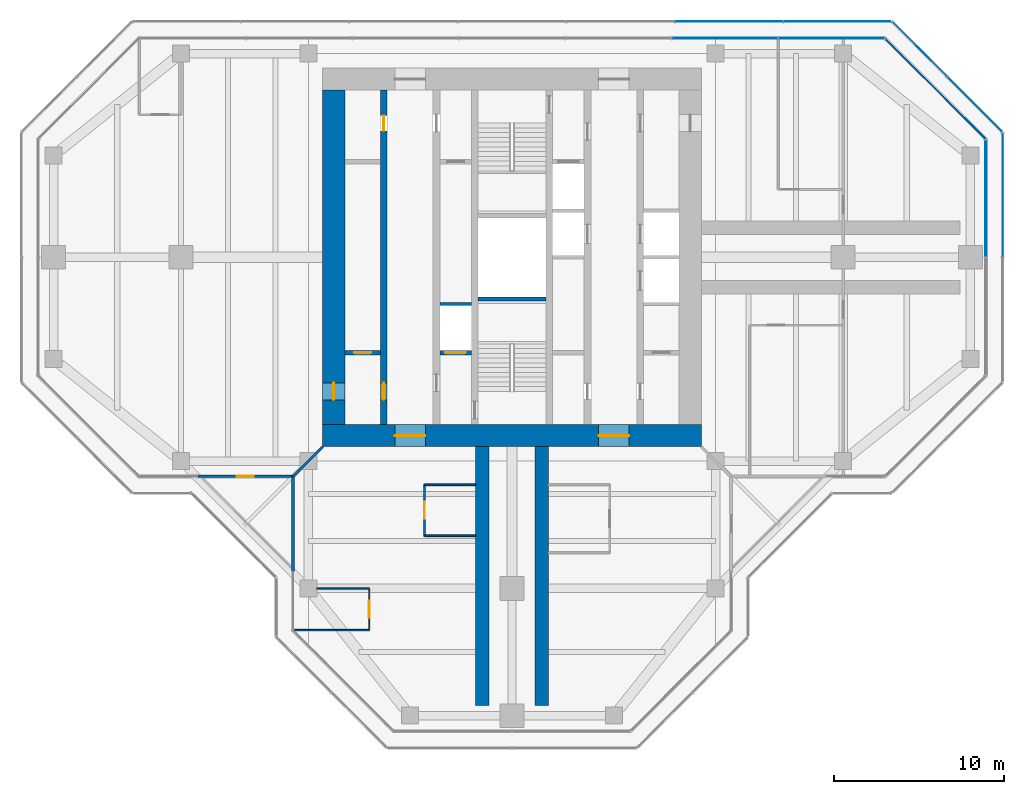
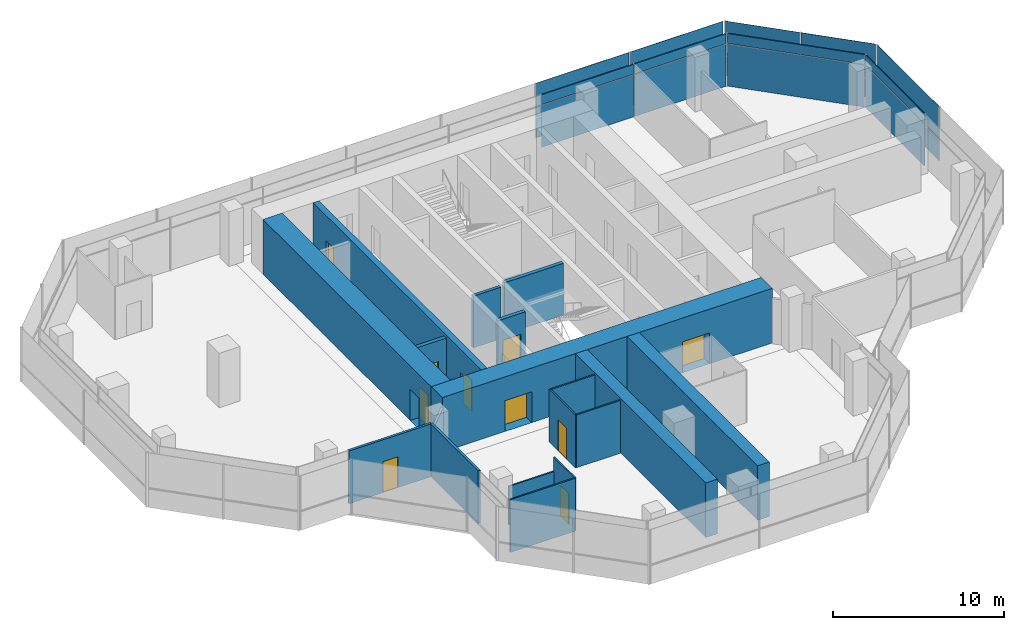
# One storey, part 11 of 15: 18 plates, 18 walls, 10 doors, 10 openings, 6 elements without a shape of their own.
"""IFC4 building model written with IfcOpenShell, lengths in metres."""

from ifc_helpers import new_model, si_unit, direction, frame, frame_2d, origin, origin_2d, place, context, subcontext, project, spatial, rectangle, extrude, material, layer, layer_set, type_object, element, fill, aggregate, save


model = new_model("IFC4")

# Units and contexts
model_context = context("Model", 3, precision=1e-05, world=origin(), true_north=direction((0.0, 1.0)))
body_context = subcontext(model_context, "Body", "Model", "MODEL_VIEW")
ifc_project = project(units=[si_unit("LENGTHUNIT", "METRE"), si_unit("AREAUNIT", "SQUARE_METRE"), si_unit("VOLUMEUNIT", "CUBIC_METRE"), si_unit("PLANEANGLEUNIT", "RADIAN"), si_unit("MASSUNIT", "GRAM", prefix="KILO")], contexts=[model_context])

# Site, building, storey
site_placement = place(None, origin())
site = spatial("IfcSite", under=ifc_project, at=site_placement, CompositionType="ELEMENT")
building_placement = place(site_placement, origin())
building = spatial("IfcBuilding", under=site, at=building_placement, Name="Mizan Broadcast Tower", CompositionType="ELEMENT")
storey_placement = place(building_placement, frame((0.0, 0.0, 271.199951171875)))
storey = spatial("IfcBuildingStorey", under=building, at=storey_placement, Name="L64", CompositionType="ELEMENT", Elevation=271.199951171875)

# Curtain wall, plate
ifc_material_1 = material(Name="Aluminium framed glazing", Category="aluminium")
curtain_wall_type_1 = type_object("IfcCurtainWallType", Name="INNER SKIN TOP ZONE", PredefinedType="USERDEFINED", material=ifc_material_1)
curtain_wall_1_placement = place(storey_placement, origin())
curtain_wall_1 = element("IfcCurtainWall", 1, at=curtain_wall_1_placement, inside=storey, type_object=curtain_wall_type_1, Name="Inner skin top zone L64 E end", ObjectType="INNER SKIN TOP ZONE", PredefinedType="USERDEFINED")
ifc_material_2 = material(Name="Double glazing, clear low-e", Category="glass")
ifc_layer_1 = layer(ifc_material_2, 0.028076171875)
ifc_layer_set_1 = layer_set([ifc_layer_1], Name="Double glazing, clear low-e")
plate_type_1 = type_object("IfcPlateType", Name="INNER SKIN GLAZING UNIT", PredefinedType="CURTAIN_PANEL", material=ifc_layer_set_1)
plate_1_placement = place(storey_placement, frame((27.89990234375, 3.46435546875, 0.0), z_axis=(0.0, 0.0, 1.0), x_axis=(0.0, 1.0, 0.0)))
plate_1 = element("IfcPlate", 2, at=plate_1_placement, type_object=plate_type_1, Name="Inner skin top zone L64 E end panel 2.1", PredefinedType="CURTAIN_PANEL", context=body_context, shape_type="SweptSolid", body=[
    extrude(rectangle(XDim=6.86865234375, YDim=0.028076171875, at=origin_2d()), origin(), (0.0, 0.0, 1.0), 3.0),
])

curtain_wall_2_placement = place(storey_placement, origin())
curtain_wall_2 = element("IfcCurtainWall", 3, at=curtain_wall_2_placement, inside=storey, type_object=curtain_wall_type_1, Name="Inner skin top zone L64 E chamfer", ObjectType="INNER SKIN TOP ZONE", PredefinedType="USERDEFINED")
plate_2_placement = place(storey_placement, frame((24.92919921875, 9.92919921875, 0.0), z_axis=(0.0, 0.0, 1.0), x_axis=(-0.707106781187, 0.707106781187, 0.0)))
plate_2 = element("IfcPlate", 4, at=plate_2_placement, type_object=plate_type_1, Name="Inner skin top zone L64 E chamfer panel 1.1", PredefinedType="CURTAIN_PANEL", context=body_context, shape_type="SweptSolid", body=[
    extrude(rectangle(XDim=8.282470703125, YDim=0.028076171875, at=origin_2d()), origin(), (0.0, 0.0, 1.0), 3.0),
])

# Curtain wall, plates
curtain_wall_3_placement = place(storey_placement, origin())
curtain_wall_3 = element("IfcCurtainWall", 5, at=curtain_wall_3_placement, inside=storey, type_object=curtain_wall_type_1, Name="Inner skin top zone L64 N end", ObjectType="INNER SKIN TOP ZONE", PredefinedType="USERDEFINED")
plate_3_placement = place(storey_placement, frame((18.806640625, 12.89990234375, 0.0), z_axis=(0.0, 0.0, 1.0), x_axis=(-1.0, 0.0, 0.0)))
plate_3 = element("IfcPlate", 6, at=plate_3_placement, type_object=plate_type_1, Name="Inner skin top zone L64 N end panel 1.1", PredefinedType="CURTAIN_PANEL", context=body_context, shape_type="SweptSolid", body=[
    extrude(rectangle(XDim=6.183837890625, YDim=0.028076171875, at=origin_2d()), origin(), (0.0, 0.0, 1.0), 3.0),
])
plate_4_placement = place(storey_placement, frame((12.5478515625, 12.89990234375, 0.0), z_axis=(0.0, 0.0, 1.0), x_axis=(-1.0, 0.0, 0.0)))
plate_4 = element("IfcPlate", 7, at=plate_4_placement, type_object=plate_type_1, Name="Inner skin top zone L64 N end panel 2.1", PredefinedType="CURTAIN_PANEL", context=body_context, shape_type="SweptSolid", body=[
    extrude(rectangle(XDim=6.2138671875, YDim=0.028076171875, at=origin_2d()), origin(), (0.0, 0.0, 1.0), 3.0),
])

# Plate
ifc_material_3 = material(Name="Insulated aluminium spandrel panel, pale anodised", Category="aluminium")
ifc_layer_2 = layer(ifc_material_3, 0.050048828125)
ifc_layer_set_2 = layer_set([ifc_layer_2], Name="Insulated aluminium spandrel panel, pale anodised")
plate_type_2 = type_object("IfcPlateType", Name="INNER SKIN SPANDREL PANEL", PredefinedType="CURTAIN_PANEL", material=ifc_layer_set_2)
plate_5_placement = place(storey_placement, frame((27.89990234375, 3.46435546875, 3.06005859375), z_axis=(0.0, 0.0, 1.0), x_axis=(0.0, 1.0, 0.0)))
plate_5 = element("IfcPlate", 8, at=plate_5_placement, type_object=plate_type_2, Name="Inner skin top zone L64 E end panel 2.2", PredefinedType="CURTAIN_PANEL", context=body_context, shape_type="SweptSolid", body=[
    extrude(rectangle(XDim=6.86865234375, YDim=0.050048828125, at=origin_2d()), origin(), (0.0, 0.0, 1.0), 0.7099609375),
])

aggregate(curtain_wall_1, [plate_1, plate_5])

plate_6_placement = place(storey_placement, frame((24.92919921875, 9.92919921875, 3.06005859375), z_axis=(0.0, 0.0, 1.0), x_axis=(-0.707106781187, 0.707106781187, 0.0)))
plate_6 = element("IfcPlate", 9, at=plate_6_placement, type_object=plate_type_2, Name="Inner skin top zone L64 E chamfer panel 1.2", PredefinedType="CURTAIN_PANEL", context=body_context, shape_type="SweptSolid", body=[
    extrude(rectangle(XDim=8.282470703125, YDim=0.050048828125, at=origin_2d()), origin(), (0.0, 0.0, 1.0), 0.7099609375),
])

aggregate(curtain_wall_2, [plate_2, plate_6])

plate_7_placement = place(storey_placement, frame((18.806640625, 12.89990234375, 3.06005859375), z_axis=(0.0, 0.0, 1.0), x_axis=(-1.0, 0.0, 0.0)))
plate_7 = element("IfcPlate", 10, at=plate_7_placement, type_object=plate_type_2, Name="Inner skin top zone L64 N end panel 1.2", PredefinedType="CURTAIN_PANEL", context=body_context, shape_type="SweptSolid", body=[
    extrude(rectangle(XDim=6.183837890625, YDim=0.050048828125, at=origin_2d()), origin(), (0.0, 0.0, 1.0), 0.7099609375),
])

plate_8_placement = place(storey_placement, frame((12.5478515625, 12.89990234375, 3.06005859375), z_axis=(0.0, 0.0, 1.0), x_axis=(-1.0, 0.0, 0.0)))
plate_8 = element("IfcPlate", 11, at=plate_8_placement, type_object=plate_type_2, Name="Inner skin top zone L64 N end panel 2.2", PredefinedType="CURTAIN_PANEL", context=body_context, shape_type="SweptSolid", body=[
    extrude(rectangle(XDim=6.2138671875, YDim=0.050048828125, at=origin_2d()), origin(), (0.0, 0.0, 1.0), 0.7099609375),
])

aggregate(curtain_wall_3, [plate_3, plate_7, plate_4, plate_8])

# Curtain wall, plates
ifc_material_4 = material(Name="Aluminium framed glazing", Category="aluminium")
curtain_wall_type_2 = type_object("IfcCurtainWallType", Name="OUTER SKIN", PredefinedType="USERDEFINED", material=ifc_material_4)
curtain_wall_4_placement = place(storey_placement, origin())
curtain_wall_4 = element("IfcCurtainWall", 12, at=curtain_wall_4_placement, inside=storey, type_object=curtain_wall_type_2, Name="Outer skin L64 E chamfer", ObjectType="OUTER SKIN", PredefinedType="USERDEFINED")
ifc_material_5 = material(Name="Laminated clear glass", Category="glass")
ifc_layer_3 = layer(ifc_material_5, 0.02001953125)
ifc_layer_set_3 = layer_set([ifc_layer_3], Name="Laminated clear glass")
plate_type_3 = type_object("IfcPlateType", Name="OUTER SKIN CLEAR GLASS", PredefinedType="CURTAIN_PANEL", material=ifc_layer_set_3)
plate_9_placement = place(storey_placement, frame((27.254150390625, 9.018798828125, 0.0), z_axis=(0.0, 0.0, 1.0), x_axis=(-0.707106781187, 0.707106781187, 0.0)))
plate_9 = element("IfcPlate", 13, at=plate_9_placement, type_object=plate_type_3, Name="Outer skin L64 E chamfer panel 1.1", PredefinedType="CURTAIN_PANEL", context=body_context, shape_type="SweptSolid", body=[
    extrude(rectangle(XDim=4.495361328125, YDim=0.02001953125, at=origin_2d()), origin(), (0.0, 0.0, 1.0), 1.3701171875),
])
plate_10_placement = place(storey_placement, frame((27.254150390625, 9.018798828125, 1.43017578125), z_axis=(0.0, 0.0, 1.0), x_axis=(-0.707106781187, 0.707106781187, 0.0)))
plate_10 = element("IfcPlate", 14, at=plate_10_placement, type_object=plate_type_3, Name="Outer skin L64 E chamfer panel 1.2", PredefinedType="CURTAIN_PANEL", context=body_context, shape_type="SweptSolid", body=[
    extrude(rectangle(XDim=4.495361328125, YDim=0.02001953125, at=origin_2d()), origin(), (0.0, 0.0, 1.0), 2.469970703125),
])

curtain_wall_5_placement = place(storey_placement, origin())
curtain_wall_5 = element("IfcCurtainWall", 15, at=curtain_wall_5_placement, inside=storey, type_object=curtain_wall_type_2, Name="Outer skin L64 N end", ObjectType="OUTER SKIN", PredefinedType="USERDEFINED")
plate_11_placement = place(storey_placement, frame((19.15673828125, 13.89990234375, 0.0), z_axis=(0.0, 0.0, 1.0), x_axis=(-1.0, 0.0, 0.0)))
plate_11 = element("IfcPlate", 16, at=plate_11_placement, type_object=plate_type_3, Name="Outer skin L64 N end panel 1.1", PredefinedType="CURTAIN_PANEL", context=body_context, shape_type="SweptSolid", body=[
    extrude(rectangle(XDim=6.272216796875, YDim=0.02001953125, at=origin_2d()), origin(), (0.0, 0.0, 1.0), 1.3701171875),
])
plate_12_placement = place(storey_placement, frame((19.15673828125, 13.89990234375, 1.43017578125), z_axis=(0.0, 0.0, 1.0), x_axis=(-1.0, 0.0, 0.0)))
plate_12 = element("IfcPlate", 17, at=plate_12_placement, type_object=plate_type_3, Name="Outer skin L64 N end panel 1.2", PredefinedType="CURTAIN_PANEL", context=body_context, shape_type="SweptSolid", body=[
    extrude(rectangle(XDim=6.272216796875, YDim=0.02001953125, at=origin_2d()), origin(), (0.0, 0.0, 1.0), 2.469970703125),
])
plate_13_placement = place(storey_placement, frame((12.784423828125, 13.89990234375, 0.0), z_axis=(0.0, 0.0, 1.0), x_axis=(-1.0, 0.0, 0.0)))
plate_13 = element("IfcPlate", 18, at=plate_13_placement, type_object=plate_type_3, Name="Outer skin L64 N end panel 2.1", PredefinedType="CURTAIN_PANEL", context=body_context, shape_type="SweptSolid", body=[
    extrude(rectangle(XDim=6.312255859375, YDim=0.02001953125, at=origin_2d()), origin(), (0.0, 0.0, 1.0), 1.3701171875),
])
plate_14_placement = place(storey_placement, frame((12.784423828125, 13.89990234375, 1.43017578125), z_axis=(0.0, 0.0, 1.0), x_axis=(-1.0, 0.0, 0.0)))
plate_14 = element("IfcPlate", 19, at=plate_14_placement, type_object=plate_type_3, Name="Outer skin L64 N end panel 2.2", PredefinedType="CURTAIN_PANEL", context=body_context, shape_type="SweptSolid", body=[
    extrude(rectangle(XDim=6.312255859375, YDim=0.02001953125, at=origin_2d()), origin(), (0.0, 0.0, 1.0), 2.469970703125),
])
aggregate(curtain_wall_5, [plate_11, plate_12, plate_13, plate_14])

curtain_wall_6_placement = place(storey_placement, origin())
curtain_wall_6 = element("IfcCurtainWall", 20, at=curtain_wall_6_placement, inside=storey, type_object=curtain_wall_type_2, Name="Outer skin L64 E end", ObjectType="OUTER SKIN", PredefinedType="USERDEFINED")
ifc_material_6 = material(Name="Perforated aluminium, pale anodised", Category="aluminium")
ifc_layer_4 = layer(ifc_material_6, 0.011962890625)
ifc_layer_set_4 = layer_set([ifc_layer_4], Name="Perforated aluminium, pale anodised")
plate_type_4 = type_object("IfcPlateType", Name="OUTER SKIN PERFORATED SCREEN", PredefinedType="USERDEFINED", material=ifc_layer_set_4)
plate_15_placement = place(storey_placement, frame((28.89990234375, 3.66650390625, 0.0), z_axis=(0.0, 0.0, 1.0), x_axis=(0.0, 1.0, 0.0)))
plate_15 = element("IfcPlate", 21, at=plate_15_placement, type_object=plate_type_4, Name="Outer skin L64 E end panel 2.1", ObjectType="SCREEN", PredefinedType="USERDEFINED", context=body_context, shape_type="SweptSolid", body=[
    extrude(rectangle(XDim=7.252685546875, YDim=0.011962890625, at=origin_2d()), origin(), (0.0, 0.0, 1.0), 1.3701171875),
])
plate_16_placement = place(storey_placement, frame((28.89990234375, 3.66650390625, 1.43017578125), z_axis=(0.0, 0.0, 1.0), x_axis=(0.0, 1.0, 0.0)))
plate_16 = element("IfcPlate", 22, at=plate_16_placement, type_object=plate_type_4, Name="Outer skin L64 E end panel 2.2", ObjectType="SCREEN", PredefinedType="USERDEFINED", context=body_context, shape_type="SweptSolid", body=[
    extrude(rectangle(XDim=7.252685546875, YDim=0.011962890625, at=origin_2d()), origin(), (0.0, 0.0, 1.0), 2.469970703125),
])
aggregate(curtain_wall_6, [plate_15, plate_16])

# Plate
plate_17_placement = place(storey_placement, frame((24.018798828125, 12.254150390625, 0.0), z_axis=(0.0, 0.0, 1.0), x_axis=(-0.707106781187, 0.707106781187, 0.0)))
plate_17 = element("IfcPlate", 23, at=plate_17_placement, type_object=plate_type_4, Name="Outer skin L64 E chamfer panel 2.1", ObjectType="SCREEN", PredefinedType="USERDEFINED", context=body_context, shape_type="SweptSolid", body=[
    extrude(rectangle(XDim=4.495361328125, YDim=0.011962890625, at=origin_2d()), origin(), (0.0, 0.0, 1.0), 1.3701171875),
])

plate_18_placement = place(storey_placement, frame((24.018798828125, 12.254150390625, 1.43017578125), z_axis=(0.0, 0.0, 1.0), x_axis=(-0.707106781187, 0.707106781187, 0.0)))
plate_18 = element("IfcPlate", 24, at=plate_18_placement, type_object=plate_type_4, Name="Outer skin L64 E chamfer panel 2.2", ObjectType="SCREEN", PredefinedType="USERDEFINED", context=body_context, shape_type="SweptSolid", body=[
    extrude(rectangle(XDim=4.495361328125, YDim=0.011962890625, at=origin_2d()), origin(), (0.0, 0.0, 1.0), 2.469970703125),
])

aggregate(curtain_wall_4, [plate_9, plate_10, plate_17, plate_18])

# Wall, openings, doors
ifc_material_7 = material(Name="Concrete C70/85", Category="concrete")
ifc_layer_5 = layer(ifc_material_7, 0.39990234375)
ifc_layer_set_5 = layer_set([ifc_layer_5], Name="Concrete C70/85")
wall_type_1 = type_object("IfcWallType", Name="CORE INTERNAL WALL 400", PredefinedType="SHEAR", material=ifc_layer_set_5)
wall_1_placement = place(storey_placement, frame((-7.550048828125, -9.85009765625, 0.0), z_axis=(0.0, 0.0, 1.0), x_axis=(0.0, 1.0, 0.0)))
wall_1 = element("IfcWall", 25, at=wall_1_placement, inside=storey, type_object=wall_type_1, Name="Core wall CORE/XW1", PredefinedType="SHEAR", context=body_context, shape_type="SweptSolid", body=[
    extrude(rectangle(XDim=19.7001953125, YDim=0.39990234375, at=frame_2d((9.85009765625, 0.0))), origin(), (0.0, 0.0, 1.0), 3.900146484375),
])
opening_1_placement = place(wall_1_placement, frame((1.449951171875, 0.0, 0.0)))
opening_1 = element("IfcOpeningElement", 26, at=opening_1_placement, cuts=wall_1, Name="Opening D10F", PredefinedType="OPENING", context=body_context, shape_type="SweptSolid", body=[
    extrude(rectangle(XDim=1.0, YDim=2.199951171875, at=frame_2d((0.5, 1.10009765625))), frame((0.0, 0.2099609375, 0.0), z_axis=(0.0, -1.0, 0.0), x_axis=(1.0, 0.0, 0.0)), (0.0, 0.0, 1.0), 0.419921875),
])
opening_2_placement = place(wall_1_placement, frame((17.300048828125, 0.0, 0.0)))
opening_2 = element("IfcOpeningElement", 27, at=opening_2_placement, cuts=wall_1, Name="Opening D09", PredefinedType="OPENING", context=body_context, shape_type="SweptSolid", body=[
    extrude(rectangle(XDim=0.89990234375, YDim=2.10009765625, at=frame_2d((0.449951171875, 1.050048828125))), frame((0.0, 0.2099609375, 0.0), z_axis=(0.0, -1.0, 0.0), x_axis=(1.0, 0.0, 0.0)), (0.0, 0.0, 1.0), 0.419921875),
])
ifc_material_8 = material(Name="Steel door leaf in steel frame", Category="steel")
door_type_1 = type_object("IfcDoorType", Name="FIRE DOOR 1000 FD90", OperationType="SINGLE_SWING_LEFT", PredefinedType="DOOR", material=ifc_material_8)
door_1_placement = place(opening_1_placement, origin())
door_1 = element("IfcDoor", 28, at=door_1_placement, inside=storey, type_object=door_type_1, Name="West core passage door", OperationType="SINGLE_SWING_LEFT", OverallHeight=2.199951171875, OverallWidth=1.0, PredefinedType="DOOR", context=body_context, shape_type="SweptSolid", body=[
    extrude(rectangle(XDim=1.0, YDim=2.199951171875, at=frame_2d((0.5, 1.10009765625))), frame((0.0, 0.02490234375, 0.0), z_axis=(0.0, -1.0, 0.0), x_axis=(1.0, 0.0, 0.0)), (0.0, 0.0, 1.0), 0.050048828125),
])
fill(opening_1, door_1)
ifc_material_9 = material(Name="Timber door leaf in aluminium frame", Category="wood")
door_type_2 = type_object("IfcDoorType", Name="TOILET DOOR 900", OperationType="SINGLE_SWING_LEFT", PredefinedType="DOOR", material=ifc_material_9)
door_2_placement = place(opening_2_placement, origin())
door_2 = element("IfcDoor", 29, at=door_2_placement, inside=storey, type_object=door_type_2, Name="Male WC door", OperationType="SINGLE_SWING_RIGHT", OverallHeight=2.10009765625, OverallWidth=0.89990234375, PredefinedType="DOOR", context=body_context, shape_type="SweptSolid", body=[
    extrude(rectangle(XDim=0.89990234375, YDim=2.10009765625, at=frame_2d((0.449951171875, 1.050048828125))), frame((0.0, 0.02490234375, 0.0), z_axis=(0.0, -1.0, 0.0), x_axis=(1.0, 0.0, 0.0)), (0.0, 0.0, 1.0), 0.050048828125),
])
fill(opening_2, door_2)

ifc_material_10 = material(Name="Concrete C70/85", Category="concrete")
ifc_layer_6 = layer(ifc_material_10, 1.300048828125)
ifc_layer_set_6 = layer_set([ifc_layer_6], Name="Concrete C70/85")
wall_type_2 = type_object("IfcWallType", Name="CORE WALL 1300", PredefinedType="SHEAR", material=ifc_layer_set_6)
wall_2_placement = place(storey_placement, frame((11.14990234375, -10.5, 0.0), z_axis=(0.0, 0.0, 1.0), x_axis=(-1.0, 0.0, 0.0)))
wall_2 = element("IfcWall", 30, at=wall_2_placement, inside=storey, type_object=wall_type_2, Name="Core wall S L64", PredefinedType="SHEAR", context=body_context, shape_type="SweptSolid", body=[
    extrude(rectangle(XDim=22.2998046875, YDim=1.300048828125, at=frame_2d((11.14990234375, 0.0))), origin(), (0.0, 0.0, 1.0), 3.900146484375),
])
opening_3_placement = place(wall_2_placement, frame((16.25, 0.0, 0.0)))
opening_3 = element("IfcOpeningElement", 31, at=opening_3_placement, cuts=wall_2, Name="Opening D18F", PredefinedType="OPENING", context=body_context, shape_type="SweptSolid", body=[
    extrude(rectangle(XDim=1.800048828125, YDim=2.199951171875, at=frame_2d((0.89990234375, 1.10009765625))), frame((0.0, 0.659912109375, 0.0), z_axis=(0.0, -1.0, 0.0), x_axis=(1.0, 0.0, 0.0)), (0.0, 0.0, 1.0), 1.320068359375),
])
opening_4_placement = place(wall_2_placement, frame((4.25, 0.0, 0.0)))
opening_4 = element("IfcOpeningElement", 32, at=opening_4_placement, cuts=wall_2, Name="Opening D18F", PredefinedType="OPENING", context=body_context, shape_type="SweptSolid", body=[
    extrude(rectangle(XDim=1.800048828125, YDim=2.199951171875, at=frame_2d((0.89990234375, 1.10009765625))), frame((0.0, 0.659912109375, 0.0), z_axis=(0.0, -1.0, 0.0), x_axis=(1.0, 0.0, 0.0)), (0.0, 0.0, 1.0), 1.320068359375),
])
ifc_material_11 = material(Name="Steel door leaf in steel frame", Category="steel")
door_type_3 = type_object("IfcDoorType", Name="LOBBY DOUBLE DOOR 1800 FD90", OperationType="DOUBLE_DOOR_DOUBLE_SWING", PredefinedType="DOOR", material=ifc_material_11)
door_3_placement = place(opening_3_placement, origin())
door_3 = element("IfcDoor", 33, at=door_3_placement, inside=storey, type_object=door_type_3, Name="West lift lobby south door", OperationType="DOUBLE_DOOR_DOUBLE_SWING", OverallHeight=2.199951171875, OverallWidth=1.800048828125, PredefinedType="DOOR", context=body_context, shape_type="SweptSolid", body=[
    extrude(rectangle(XDim=1.800048828125, YDim=2.199951171875, at=frame_2d((0.89990234375, 1.10009765625))), frame((0.0, 0.02490234375, 0.0), z_axis=(0.0, -1.0, 0.0), x_axis=(1.0, 0.0, 0.0)), (0.0, 0.0, 1.0), 0.050048828125),
])
fill(opening_3, door_3)
door_4_placement = place(opening_4_placement, origin())
door_4 = element("IfcDoor", 34, at=door_4_placement, inside=storey, type_object=door_type_3, Name="East lift lobby south door", OperationType="DOUBLE_DOOR_DOUBLE_SWING", OverallHeight=2.199951171875, OverallWidth=1.800048828125, PredefinedType="DOOR", context=body_context, shape_type="SweptSolid", body=[
    extrude(rectangle(XDim=1.800048828125, YDim=2.199951171875, at=frame_2d((0.89990234375, 1.10009765625))), frame((0.0, 0.02490234375, 0.0), z_axis=(0.0, -1.0, 0.0), x_axis=(1.0, 0.0, 0.0)), (0.0, 0.0, 1.0), 0.050048828125),
])
fill(opening_4, door_4)

# Wall, opening, door
wall_3_placement = place(storey_placement, frame((-10.5, 9.85009765625, 0.0), z_axis=(0.0, 0.0, 1.0), x_axis=(0.0, -1.0, 0.0)))
wall_3 = element("IfcWall", 35, at=wall_3_placement, inside=storey, type_object=wall_type_2, Name="Core wall W L64", PredefinedType="SHEAR", context=body_context, shape_type="SweptSolid", body=[
    extrude(rectangle(XDim=19.7001953125, YDim=1.300048828125, at=frame_2d((9.85009765625, 0.0))), origin(), (0.0, 0.0, 1.0), 3.900146484375),
])
opening_5_placement = place(wall_3_placement, frame((17.25, 0.0, 0.0)))
opening_5 = element("IfcOpeningElement", 36, at=opening_5_placement, cuts=wall_3, Name="Opening D10F", PredefinedType="OPENING", context=body_context, shape_type="SweptSolid", body=[
    extrude(rectangle(XDim=1.0, YDim=2.199951171875, at=frame_2d((0.5, 1.10009765625))), frame((0.0, 0.659912109375, 0.0), z_axis=(0.0, -1.0, 0.0), x_axis=(1.0, 0.0, 0.0)), (0.0, 0.0, 1.0), 1.320068359375),
])
door_5_placement = place(opening_5_placement, origin())
door_5 = element("IfcDoor", 37, at=door_5_placement, inside=storey, type_object=door_type_1, Name="West core passage arm door", OperationType="SINGLE_SWING_RIGHT", OverallHeight=2.199951171875, OverallWidth=1.0, PredefinedType="DOOR", context=body_context, shape_type="SweptSolid", body=[
    extrude(rectangle(XDim=1.0, YDim=2.199951171875, at=frame_2d((0.5, 1.10009765625))), frame((0.0, 0.02490234375, 0.0), z_axis=(0.0, -1.0, 0.0), x_axis=(1.0, 0.0, 0.0)), (0.0, 0.0, 1.0), 0.050048828125),
])
fill(opening_5, door_5)

ifc_material_12 = material(Name="Aluminium framed glazed screen", Category="aluminium")
ifc_layer_7 = layer(ifc_material_12, 0.159912109375)
ifc_layer_set_7 = layer_set([ifc_layer_7], Name="Aluminium framed glazed screen")
wall_type_3 = type_object("IfcWallType", Name="GLAZED SCREEN WALL 160", PredefinedType="SOLIDWALL", material=ifc_layer_set_7)
wall_4_placement = place(storey_placement, frame((-18.5, -12.89990234375, 0.0), z_axis=(0.0, 0.0, 1.0), x_axis=(1.0, 0.0, 0.0)))
wall_4 = element("IfcWall", 38, at=wall_4_placement, inside=storey, type_object=wall_type_3, Name="Winter garden screen L64 W", PredefinedType="SOLIDWALL", context=body_context, shape_type="SweptSolid", body=[
    extrude(rectangle(XDim=5.60009765625, YDim=0.159912109375, at=frame_2d((2.800048828125, 0.0))), origin(), (0.0, 0.0, 1.0), 3.77001953125),
])
opening_6_placement = place(wall_4_placement, frame((2.300048828125, 0.0, 0.0)))
opening_6 = element("IfcOpeningElement", 39, at=opening_6_placement, cuts=wall_4, Name="Opening WGD", PredefinedType="OPENING", context=body_context, shape_type="SweptSolid", body=[
    extrude(rectangle(XDim=1.0, YDim=2.199951171875, at=frame_2d((0.5, 1.10009765625))), frame((0.0, 0.08984375, 0.0), z_axis=(0.0, -1.0, 0.0), x_axis=(1.0, 0.0, 0.0)), (0.0, 0.0, 1.0), 0.179931640625),
])
ifc_material_13 = material(Name="Aluminium framed glazed door", Category="aluminium")
door_type_4 = type_object("IfcDoorType", Name="WINTER GARDEN DOOR 1000 GLAZED", OperationType="SINGLE_SWING_LEFT", PredefinedType="DOOR", material=ifc_material_13)
door_6_placement = place(opening_6_placement, origin())
door_6 = element("IfcDoor", 40, at=door_6_placement, inside=storey, type_object=door_type_4, Name="Winter garden door L64 W", OperationType="SINGLE_SWING_RIGHT", OverallHeight=2.199951171875, OverallWidth=1.0, PredefinedType="DOOR", context=body_context, shape_type="SweptSolid", body=[
    extrude(rectangle(XDim=1.0, YDim=2.199951171875, at=frame_2d((0.5, 1.10009765625))), frame((0.0, 0.02490234375, 0.0), z_axis=(0.0, -1.0, 0.0), x_axis=(1.0, 0.0, 0.0)), (0.0, 0.0, 1.0), 0.050048828125),
])
fill(opening_6, door_6)

# Walls
wall_5_placement = place(storey_placement, frame((-12.89990234375, -12.89990234375, 0.0), z_axis=(0.0, 0.0, 1.0), x_axis=(0.0, -1.0, 0.0)))
element("IfcWall", 41, at=wall_5_placement, inside=storey, type_object=wall_type_3, Name="Winter garden screen L64 S", PredefinedType="SOLIDWALL", context=body_context, shape_type="SweptSolid", body=[
    extrude(rectangle(XDim=5.60009765625, YDim=0.159912109375, at=frame_2d((2.800048828125, 0.0))), origin(), (0.0, 0.0, 1.0), 3.77001953125),
])
ifc_material_14 = material(Name="Concrete blockwork", Category="masonry")
ifc_layer_8 = layer(ifc_material_14, 0.199951171875)
ifc_layer_set_8 = layer_set([ifc_layer_8], Name="Concrete blockwork")
wall_type_4 = type_object("IfcWallType", Name="LIFT SHAFT WALL 200", PredefinedType="SOLIDWALL", material=ifc_layer_set_8)
wall_6_placement = place(storey_placement, frame((-4.25, -2.75, 0.0), z_axis=(0.0, 0.0, 1.0), x_axis=(1.0, 0.0, 0.0)))
element("IfcWall", 42, at=wall_6_placement, inside=storey, type_object=wall_type_4, Name="Lift shaft wall CORE/SW2-1", PredefinedType="SOLIDWALL", context=body_context, shape_type="SweptSolid", body=[
    extrude(rectangle(XDim=1.85009765625, YDim=0.199951171875, at=frame_2d((0.925048828125, 0.0))), origin(), (0.0, 0.0, 1.0), 3.699951171875),
])

# Wall, opening, door
ifc_material_15 = material(Name="Concrete blockwork", Category="masonry")
ifc_layer_9 = layer(ifc_material_15, 0.25)
ifc_layer_set_9 = layer_set([ifc_layer_9], Name="Concrete blockwork")
wall_type_5 = type_object("IfcWallType", Name="LOBBY ENCLOSURE WALL 250", PredefinedType="SOLIDWALL", material=ifc_layer_set_9)
wall_7_placement = place(storey_placement, frame((-9.85009765625, -5.625, 0.0), z_axis=(0.0, 0.0, 1.0), x_axis=(1.0, 0.0, 0.0)))
wall_7 = element("IfcWall", 43, at=wall_7_placement, inside=storey, type_object=wall_type_5, Name="Lobby enclosure wall CORE/BW1S", PredefinedType="SOLIDWALL", context=body_context, shape_type="SweptSolid", body=[
    extrude(rectangle(XDim=2.10009765625, YDim=0.25, at=frame_2d((1.050048828125, 0.0))), origin(), (0.0, 0.0, 1.0), 3.699951171875),
])
opening_7_placement = place(wall_7_placement, frame((0.550048828125, 0.0, 0.0)))
opening_7 = element("IfcOpeningElement", 44, at=opening_7_placement, cuts=wall_7, Name="Opening D10F", PredefinedType="OPENING", context=body_context, shape_type="SweptSolid", body=[
    extrude(rectangle(XDim=1.0, YDim=2.199951171875, at=frame_2d((0.5, 1.10009765625))), frame((0.0, 0.135009765625, 0.0), z_axis=(0.0, -1.0, 0.0), x_axis=(1.0, 0.0, 0.0)), (0.0, 0.0, 1.0), 0.27001953125),
])
door_7_placement = place(opening_7_placement, origin())
door_7 = element("IfcDoor", 45, at=door_7_placement, inside=storey, type_object=door_type_1, Name="Comms equipment room door", OperationType="SINGLE_SWING_RIGHT", OverallHeight=2.199951171875, OverallWidth=1.0, PredefinedType="DOOR", context=body_context, shape_type="SweptSolid", body=[
    extrude(rectangle(XDim=1.0, YDim=2.199951171875, at=frame_2d((0.5, 1.10009765625))), frame((0.0, 0.02490234375, 0.0), z_axis=(0.0, -1.0, 0.0), x_axis=(1.0, 0.0, 0.0)), (0.0, 0.0, 1.0), 0.050048828125),
])
fill(opening_7, door_7)

wall_8_placement = place(storey_placement, frame((-4.25, -5.625, 0.0), z_axis=(0.0, 0.0, 1.0), x_axis=(1.0, 0.0, 0.0)))
wall_8 = element("IfcWall", 46, at=wall_8_placement, inside=storey, type_object=wall_type_5, Name="Lobby enclosure wall CORE/BW2S", PredefinedType="SOLIDWALL", context=body_context, shape_type="SweptSolid", body=[
    extrude(rectangle(XDim=1.85009765625, YDim=0.25, at=frame_2d((0.925048828125, 0.0))), origin(), (0.0, 0.0, 1.0), 3.699951171875),
])
opening_8_placement = place(wall_8_placement, frame((0.324951171875, 0.0, 0.0)))
opening_8 = element("IfcOpeningElement", 47, at=opening_8_placement, cuts=wall_8, Name="Opening LDF", PredefinedType="OPENING", context=body_context, shape_type="SweptSolid", body=[
    extrude(rectangle(XDim=1.199951171875, YDim=2.199951171875, at=frame_2d((0.60009765625, 1.10009765625))), frame((0.0, 0.135009765625, 0.0), z_axis=(0.0, -1.0, 0.0), x_axis=(1.0, 0.0, 0.0)), (0.0, 0.0, 1.0), 0.27001953125),
])
ifc_material_16 = material(Name="Steel door leaf in steel frame", Category="steel")
door_type_5 = type_object("IfcDoorType", Name="FIREFIGHTING LIFT LANDING DOOR 1200", OperationType="SLIDING_TO_LEFT", PredefinedType="DOOR", material=ifc_material_16)
door_8_placement = place(opening_8_placement, origin())
door_8 = element("IfcDoor", 48, at=door_8_placement, inside=storey, type_object=door_type_5, Name="Landing door FF1", OperationType="SLIDING_TO_LEFT", OverallHeight=2.199951171875, OverallWidth=1.199951171875, PredefinedType="DOOR", context=body_context, shape_type="SweptSolid", body=[
    extrude(rectangle(XDim=1.199951171875, YDim=2.199951171875, at=frame_2d((0.60009765625, 1.10009765625))), frame((0.0, 0.02490234375, 0.0), z_axis=(0.0, -1.0, 0.0), x_axis=(1.0, 0.0, 0.0)), (0.0, 0.0, 1.0), 0.050048828125),
])
fill(opening_8, door_8)

# Walls
wall_9_placement = place(storey_placement, frame((-2.0, -2.449951171875, 0.0), z_axis=(0.0, 0.0, 1.0), x_axis=(1.0, 0.0, 0.0)))
element("IfcWall", 49, at=wall_9_placement, inside=storey, type_object=wall_type_5, Name="Lobby enclosure wall CORE/STA", PredefinedType="SOLIDWALL", context=body_context, shape_type="SweptSolid", body=[
    extrude(rectangle(XDim=4.0, YDim=0.25, at=frame_2d((2.0, 0.0))), origin(), (0.0, 0.0, 1.0), 3.699951171875),
])
ifc_material_17 = material(Name="Gypsum board on steel studs", Category="steel")
ifc_layer_10 = layer(ifc_material_17, 0.14990234375)
ifc_layer_set_10 = layer_set([ifc_layer_10], Name="Gypsum board on steel studs")
wall_type_6 = type_object("IfcWallType", Name="PARTITION 150", PredefinedType="PARTITIONING", material=ifc_layer_set_10)
wall_10_placement = place(storey_placement, frame((-11.14990234375, -11.14990234375, 0.0), z_axis=(0.0, 0.0, 1.0), x_axis=(-0.707106781187, -0.707106781187, 0.0)))
element("IfcWall", 50, at=wall_10_placement, inside=storey, type_object=wall_type_6, Name="Partition PT/DGWS", PredefinedType="PARTITIONING", context=body_context, shape_type="SweptSolid", body=[
    extrude(rectangle(XDim=2.460693359375, YDim=0.14990234375, at=frame_2d((1.23046875, 0.0))), origin(), (0.0, 0.0, 1.0), 3.219970703125),
])

# Wall, opening, door
ifc_material_18 = material(Name="Glazed aluminium partition on aluminium track", Category="aluminium")
ifc_layer_11 = layer(ifc_material_18, 0.10009765625)
ifc_layer_set_11 = layer_set([ifc_layer_11], Name="Glazed aluminium partition on aluminium track")
wall_type_7 = type_object("IfcWallType", Name="PARTITION GLAZED OFFICE FRONT 100", PredefinedType="PARTITIONING", material=ifc_layer_set_11)
wall_11_placement = place(storey_placement, frame((-8.39990234375, -19.5, 0.0), z_axis=(0.0, 0.0, 1.0), x_axis=(0.0, -1.0, 0.0)))
wall_11 = element("IfcWall", 51, at=wall_11_placement, inside=storey, type_object=wall_type_7, Name="Glazed office front PT/SCN0", PredefinedType="PARTITIONING", context=body_context, shape_type="SweptSolid", body=[
    extrude(rectangle(XDim=2.458984375, YDim=0.10009765625, at=frame_2d((1.2294921875, 0.0))), origin(), (0.0, 0.0, 1.0), 3.77001953125),
])
opening_9_placement = place(wall_11_placement, frame((0.7294921875, 0.0, 0.0)))
opening_9 = element("IfcOpeningElement", 52, at=opening_9_placement, cuts=wall_11, Name="Opening D10O", PredefinedType="OPENING", context=body_context, shape_type="SweptSolid", body=[
    extrude(rectangle(XDim=1.0, YDim=2.199951171875, at=frame_2d((0.5, 1.10009765625))), frame((0.0, 0.06005859375, 0.0), z_axis=(0.0, -1.0, 0.0), x_axis=(1.0, 0.0, 0.0)), (0.0, 0.0, 1.0), 0.1201171875),
])
ifc_material_19 = material(Name="Timber door leaf in aluminium frame", Category="wood")
door_type_6 = type_object("IfcDoorType", Name="OFFICE DOOR 1000 GLAZED", OperationType="SINGLE_SWING_LEFT", PredefinedType="DOOR", material=ifc_material_19)
door_9_placement = place(opening_9_placement, origin())
door_9 = element("IfcDoor", 53, at=door_9_placement, inside=storey, type_object=door_type_6, Name="Duty manager's office door", OperationType="SINGLE_SWING_LEFT", OverallHeight=2.199951171875, OverallWidth=1.0, PredefinedType="DOOR", context=body_context, shape_type="SweptSolid", body=[
    extrude(rectangle(XDim=1.0, YDim=2.199951171875, at=frame_2d((0.5, 1.10009765625))), frame((0.0, 0.02490234375, 0.0), z_axis=(0.0, -1.0, 0.0), x_axis=(1.0, 0.0, 0.0)), (0.0, 0.0, 1.0), 0.050048828125),
])
fill(opening_9, door_9)

# Walls
wall_12_placement = place(storey_placement, frame((-8.39990234375, -19.5, 0.0), z_axis=(0.0, 0.0, 1.0), x_axis=(-1.0, 0.0, 0.0)))
element("IfcWall", 54, at=wall_12_placement, inside=storey, type_object=wall_type_7, Name="Glazed office front PT/SQN1950", PredefinedType="PARTITIONING", context=body_context, shape_type="SweptSolid", body=[
    extrude(rectangle(XDim=3.10009765625, YDim=0.10009765625, at=frame_2d((1.550048828125, 0.0))), origin(), (0.0, 0.0, 1.0), 2.77001953125),
])
wall_13_placement = place(storey_placement, frame((-8.39990234375, -21.958984375, 0.0), z_axis=(0.0, 0.0, 1.0), x_axis=(-1.0, 0.0, 0.0)))
element("IfcWall", 55, at=wall_13_placement, inside=storey, type_object=wall_type_7, Name="Glazed office front PT/SQN2196", PredefinedType="PARTITIONING", context=body_context, shape_type="SweptSolid", body=[
    extrude(rectangle(XDim=4.420166015625, YDim=0.10009765625, at=frame_2d((2.2099609375, 0.0))), origin(), (0.0, 0.0, 1.0), 3.77001953125),
])
for number, where, z_axis, x_axis, name in (
    (56, (-2.14990234375, -13.39990234375, 0.0), (0.0, 0.0, 1.0), (-1.0, 0.0, 0.0), "Glazed office front PT/SKN0a"),
    (57, (-2.14990234375, -16.39990234375, 0.0), (0.0, 0.0, 1.0), (-1.0, 0.0, 0.0), "Glazed office front PT/SKN0b"),
):
    element("IfcWall", number, at=place(storey_placement, frame(where, z_axis=z_axis, x_axis=x_axis)), inside=storey, type_object=wall_type_7, Name=name, PredefinedType="PARTITIONING", context=body_context, shape_type="SweptSolid", body=[
        extrude(rectangle(XDim=3.0, YDim=0.10009765625, at=frame_2d((1.5, 0.0))), origin(), (0.0, 0.0, 1.0), 3.77001953125),
    ])

# Wall, opening, door
wall_14_placement = place(storey_placement, frame((-5.14990234375, -13.35009765625, 0.0), z_axis=(0.0, 0.0, 1.0), x_axis=(0.0, -1.0, 0.0)))
wall_14 = element("IfcWall", 58, at=wall_14_placement, inside=storey, type_object=wall_type_7, Name="Glazed office front PT/SKN0f", PredefinedType="PARTITIONING", context=body_context, shape_type="SweptSolid", body=[
    extrude(rectangle(XDim=3.099853515625, YDim=0.10009765625, at=frame_2d((1.5498046875, 0.0))), origin(), (0.0, 0.0, 1.0), 3.77001953125),
])
opening_10_placement = place(wall_14_placement, frame((1.050048828125, 0.0, 0.0)))
opening_10 = element("IfcOpeningElement", 59, at=opening_10_placement, cuts=wall_14, Name="Opening D10O", PredefinedType="OPENING", context=body_context, shape_type="SweptSolid", body=[
    extrude(rectangle(XDim=1.0, YDim=2.199951171875, at=frame_2d((0.5, 1.10009765625))), frame((0.0, 0.06005859375, 0.0), z_axis=(0.0, -1.0, 0.0), x_axis=(1.0, 0.0, 0.0)), (0.0, 0.0, 1.0), 0.1201171875),
])
door_10_placement = place(opening_10_placement, origin())
door_10 = element("IfcDoor", 60, at=door_10_placement, inside=storey, type_object=door_type_6, Name="Pantry door", OperationType="SINGLE_SWING_LEFT", OverallHeight=2.199951171875, OverallWidth=1.0, PredefinedType="DOOR", context=body_context, shape_type="SweptSolid", body=[
    extrude(rectangle(XDim=1.0, YDim=2.199951171875, at=frame_2d((0.5, 1.10009765625))), frame((0.0, 0.02490234375, 0.0), z_axis=(0.0, -1.0, 0.0), x_axis=(1.0, 0.0, 0.0)), (0.0, 0.0, 1.0), 0.050048828125),
])
fill(opening_10, door_10)

# Walls
ifc_material_20 = material(Name="Concrete C70/85", Category="concrete")
ifc_layer_12 = layer(ifc_material_20, 0.800048828125)
ifc_layer_set_12 = layer_set([ifc_layer_12], Name="Concrete C70/85")
wall_type_8 = type_object("IfcWallType", Name="SPINE WALL 800", PredefinedType="SHEAR", material=ifc_layer_set_12)
for number, where, z_axis, x_axis, name in (
    (61, (-1.75, -11.14990234375, 0.0), (0.0, 0.0, 1.0), (0.0, -1.0, 0.0), "Spine wall SR L64"),
    (62, (1.75, -11.14990234375, 0.0), (0.0, 0.0, 1.0), (0.0, -1.0, 0.0), "Spine wall SL L64"),
):
    element("IfcWall", number, at=place(storey_placement, frame(where, z_axis=z_axis, x_axis=x_axis)), inside=storey, type_object=wall_type_8, Name=name, PredefinedType="SHEAR", context=body_context, shape_type="SweptSolid", body=[
        extrude(rectangle(XDim=15.25, YDim=0.800048828125, at=frame_2d((7.625, 0.0))), origin(), (0.0, 0.0, 1.0), 3.900146484375),
    ])

save(model, "model.ifc")
